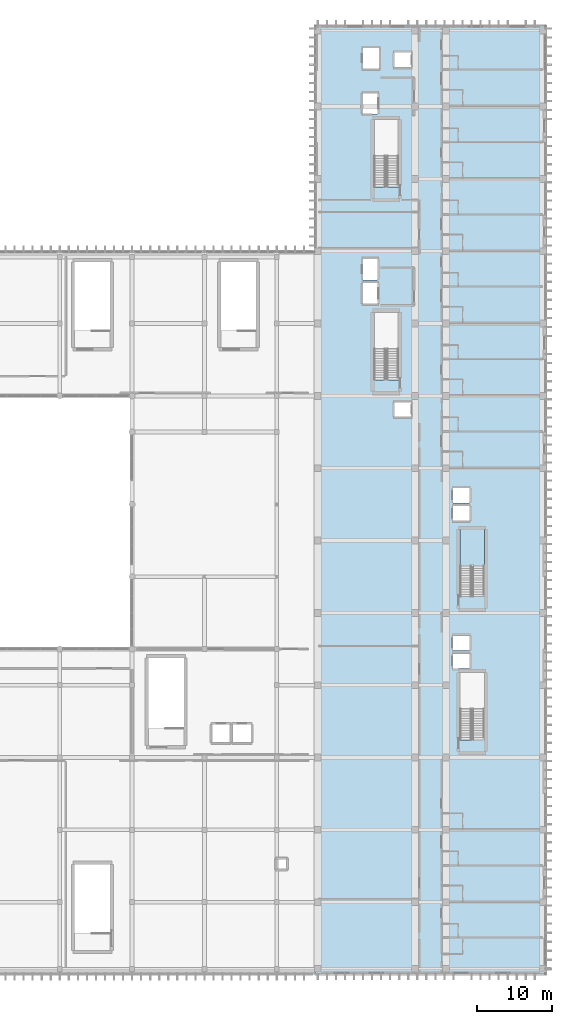
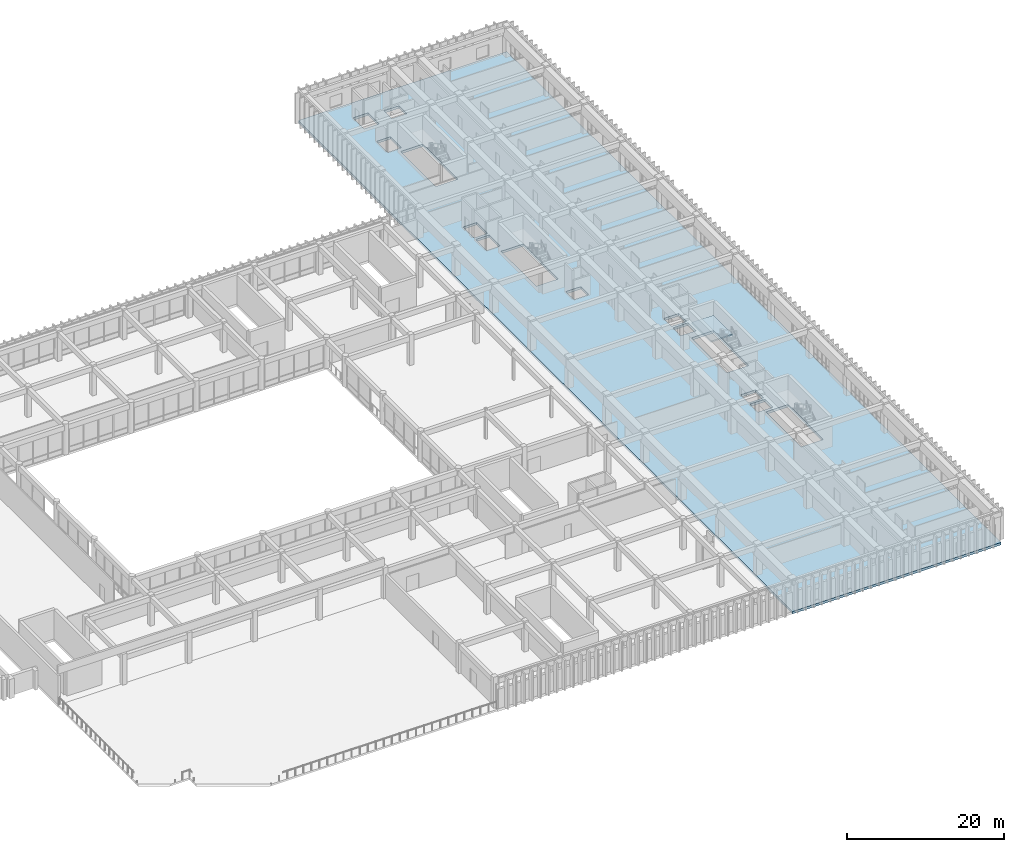
# One storey, part 68 of 101: 2 slabs, 1 element without a shape of its own.
"""IFC4 building model written with IfcOpenShell, lengths in metres."""

from ifc_helpers import new_model, si_unit, direction, frame, origin, place, context, subcontext, project, spatial, polyline, outline, extrude, material, layer, layer_set, type_object, element, aggregate, save


model = new_model("IFC4")

# Units and contexts
model_context = context("Model", 3, precision=1e-05, world=origin(), true_north=direction((0.0, 1.0)))
body_context = subcontext(model_context, "Body", "Model", "MODEL_VIEW")
ifc_project = project(units=[si_unit("LENGTHUNIT", "METRE"), si_unit("AREAUNIT", "SQUARE_METRE"), si_unit("VOLUMEUNIT", "CUBIC_METRE"), si_unit("PLANEANGLEUNIT", "RADIAN"), si_unit("MASSUNIT", "GRAM", prefix="KILO")], contexts=[model_context])

# Site, building, storey
site_placement = place(None, origin())
site = spatial("IfcSite", under=ifc_project, at=site_placement, CompositionType="ELEMENT")
building_placement = place(site_placement, origin())
building = spatial("IfcBuilding", under=site, at=building_placement, Name="Nakhvara Creek Congress Hotel", CompositionType="ELEMENT")
storey_placement = place(building_placement, frame((0.0, 0.0, 16.199951171875)))
storey = spatial("IfcBuildingStorey", under=building, at=storey_placement, Name="L03", CompositionType="ELEMENT", Elevation=16.199951171875)

# Slab
ifc_material = material(Name="Concrete C40/50", Category="concrete")
ifc_layer_1 = layer(ifc_material, 0.3798828125)
ifc_layer_set_1 = layer_set([ifc_layer_1], Name="Concrete C40/50")
slab_type_1 = type_object("IfcSlabType", Name="SL-FLR-380", PredefinedType="FLOOR", material=ifc_layer_set_1)
slab_1_placement = place(storey_placement, frame((0.0, 0.0, -0.3798828125)))
element("IfcSlab", 1, at=slab_1_placement, inside=storey, type_object=slab_type_1, Name="Structural Slab SLB-L03-V5", PredefinedType="FLOOR", context=body_context, shape_type="SweptSolid", body=[
    extrude(outline(polyline([(149.050048828125, 126.0), (179.75, 126.0), (179.75, 0.0), (149.050048828125, 0.0), (149.050048828125, 126.0)]), holes=[polyline([(161.800048828125, 74.0), (161.800048828125, 76.0), (159.60009765625, 76.0), (159.60009765625, 74.0), (161.800048828125, 74.0)]), polyline([(160.14990234375, 78.93994140625), (160.14990234375, 87.89990234375), (156.919921875, 87.89990234375), (156.919921875, 78.93994140625), (160.14990234375, 78.93994140625)]), polyline([(155.39990234375, 89.0), (157.39990234375, 89.0), (157.39990234375, 91.800048828125), (155.39990234375, 91.800048828125), (155.39990234375, 89.0)]), polyline([(155.39990234375, 92.199951171875), (157.39990234375, 92.199951171875), (157.39990234375, 95.0), (155.39990234375, 95.0), (155.39990234375, 92.199951171875)]), polyline([(160.14990234375, 104.5400390625), (160.14990234375, 113.5), (156.919921875, 113.5), (156.919921875, 104.5400390625), (160.14990234375, 104.5400390625)]), polyline([(155.39990234375, 114.199951171875), (157.39990234375, 114.199951171875), (157.39990234375, 117.0), (155.39990234375, 117.0), (155.39990234375, 114.199951171875)]), polyline([(155.39990234375, 120.199951171875), (157.60009765625, 120.199951171875), (157.60009765625, 123.0), (155.39990234375, 123.0), (155.39990234375, 120.199951171875)]), polyline([(171.550048828125, 40.10009765625), (168.320068359375, 40.10009765625), (168.320068359375, 31.139892578125), (171.550048828125, 31.139892578125), (171.550048828125, 40.10009765625)]), polyline([(167.39990234375, 40.60009765625), (169.60009765625, 40.60009765625), (169.60009765625, 42.60009765625), (167.39990234375, 42.60009765625), (167.39990234375, 40.60009765625)]), polyline([(167.39990234375, 43.0), (169.60009765625, 43.0), (169.60009765625, 45.0), (167.39990234375, 45.0), (167.39990234375, 43.0)]), polyline([(171.550048828125, 50.139892578125), (171.550048828125, 59.10009765625), (168.320068359375, 59.10009765625), (168.320068359375, 50.139892578125), (171.550048828125, 50.139892578125)]), polyline([(167.39990234375, 60.199951171875), (169.60009765625, 60.199951171875), (169.60009765625, 62.199951171875), (167.39990234375, 62.199951171875), (167.39990234375, 60.199951171875)]), polyline([(167.39990234375, 62.60009765625), (169.60009765625, 62.60009765625), (169.60009765625, 64.60009765625), (167.39990234375, 64.60009765625), (167.39990234375, 62.60009765625)]), polyline([(159.60009765625, 120.39990234375), (161.800048828125, 120.39990234375), (161.800048828125, 122.39990234375), (159.60009765625, 122.39990234375), (159.60009765625, 120.39990234375)])]), origin(), (0.0, 0.0, 1.0), 0.3798828125),
])

# Stair, slab
stair_type = type_object("IfcStairType", Name="ST-CORE-160", PredefinedType="HALF_TURN_STAIR", material=ifc_material)
stair_placement = place(storey_placement, origin())
stair = element("IfcStair", 2, at=stair_placement, inside=storey, type_object=stair_type, Name="L03 Protected Exit Stair ST04", PredefinedType="HALF_TURN_STAIR")
ifc_layer_2 = layer(ifc_material, 0.199951171875)
ifc_layer_set_2 = layer_set([ifc_layer_2], Name="Concrete C40/50")
slab_type_2 = type_object("IfcSlabType", Name="SL-LAND-200", PredefinedType="LANDING", material=ifc_layer_set_2)
slab_2_placement = place(storey_placement, frame((0.0, 0.0, 2.199951171875)))
slab_2 = element("IfcSlab", 3, at=slab_2_placement, type_object=slab_type_2, Name="ST04 landing 1", PredefinedType="LANDING", context=body_context, shape_type="SweptSolid", body=[
    extrude(outline(polyline([(171.550048828125, 54.235107421875), (171.550048828125, 59.10009765625), (168.320068359375, 59.10009765625), (168.320068359375, 54.235107421875), (171.550048828125, 54.235107421875)])), origin(), (0.0, 0.0, 1.0), 0.2001953125),
])
aggregate(stair, [slab_2])

save(model, "model.ifc")
